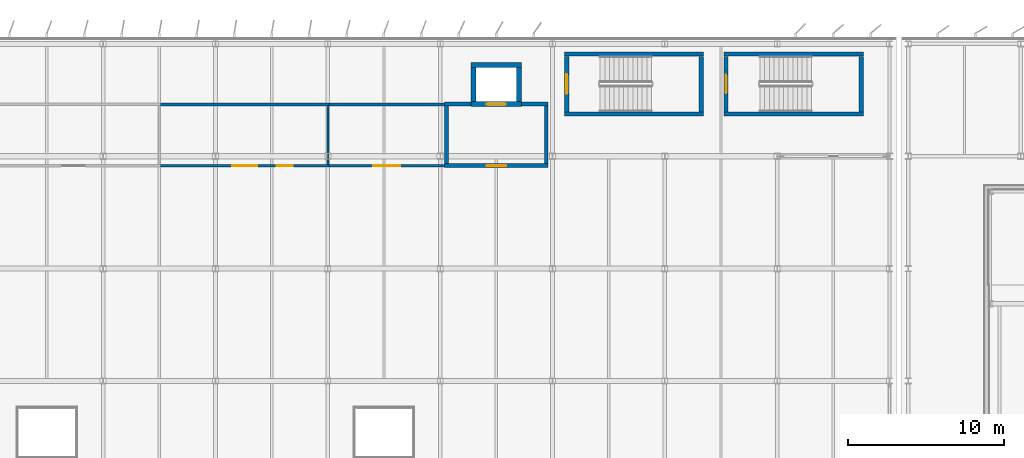
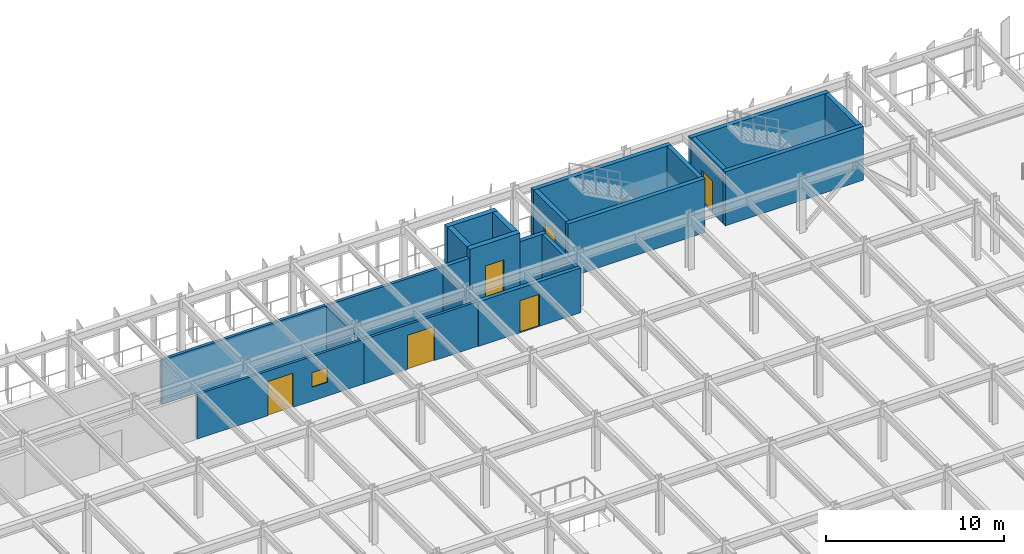
# One storey, part 53 of 80: 22 walls, 6 doors, 1 window, 7 openings.
"""IFC4 building model written with IfcOpenShell, lengths in metres."""

from ifc_helpers import new_model, si_unit, direction, frame, frame_2d, origin, place, context, subcontext, project, spatial, rectangle, extrude, material, layer, layer_set, type_object, element, fill, save


model = new_model("IFC4")

# Units and contexts
model_context = context("Model", 3, precision=1e-05, world=origin(), true_north=direction((0.0, 1.0)))
body_context = subcontext(model_context, "Body", "Model", "MODEL_VIEW")
ifc_project = project(units=[si_unit("LENGTHUNIT", "METRE"), si_unit("AREAUNIT", "SQUARE_METRE"), si_unit("VOLUMEUNIT", "CUBIC_METRE"), si_unit("PLANEANGLEUNIT", "RADIAN"), si_unit("MASSUNIT", "GRAM", prefix="KILO")], contexts=[model_context])

# Site, building, storey
site_placement = place(None, origin())
site = spatial("IfcSite", under=ifc_project, at=site_placement, CompositionType="ELEMENT")
building_placement = place(site_placement, origin())
building = spatial("IfcBuilding", under=site, at=building_placement, Name="Vaelcorin Mobility Hub", CompositionType="ELEMENT")
storey_placement = place(building_placement, frame((0.0, 0.0, 9.300048828125)))
storey = spatial("IfcBuildingStorey", under=building, at=storey_placement, Name="L02", CompositionType="ELEMENT", Elevation=9.300048828125)

# Walls
ifc_material_1 = material(Name="Reinforced concrete f'c 45 MPa", Category="concrete")
ifc_layer_1 = layer(ifc_material_1, 0.27490234375)
ifc_layer_set_1 = layer_set([ifc_layer_1], Name="Reinforced concrete f'c 45 MPa")
wall_type_1 = type_object("IfcWallType", Name="WL-CORE-275", PredefinedType="SOLIDWALL", material=ifc_layer_set_1)
for number, where, z_axis, x_axis, name in (
    (1, (110.47509765625, 115.511962890625, 0.0), (0.0, 0.0, 1.0), (-1.0, 0.0, 0.0), "ST4 Fire Core Wall L02 South"),
    (2, (101.574951171875, 119.347900390625, 0.0), (0.0, 0.0, 1.0), (1.0, 0.0, 0.0), "ST4 Fire Core Wall L02 North"),
):
    element("IfcWall", number, at=place(storey_placement, frame(where, z_axis=z_axis, x_axis=x_axis)), inside=storey, type_object=wall_type_1, Name=name, PredefinedType="SOLIDWALL", context=body_context, shape_type="SweptSolid", body=[
        extrude(rectangle(XDim=8.900146484375, YDim=0.27490234375, at=frame_2d((4.4501953125, 0.0))), origin(), (0.0, 0.0, 1.0), 3.68994140625),
    ])

# Wall, opening, door
wall_1_placement = place(storey_placement, frame((101.7119140625, 115.64990234375, 0.0), z_axis=(0.0, 0.0, 1.0), x_axis=(0.0, 1.0, 0.0)))
wall_1 = element("IfcWall", 3, at=wall_1_placement, inside=storey, type_object=wall_type_1, Name="ST4 Fire Core Wall L02 West", PredefinedType="SOLIDWALL", context=body_context, shape_type="SweptSolid", body=[
    extrude(rectangle(XDim=3.56005859375, YDim=0.27490234375, at=frame_2d((1.780029296875, 0.0))), origin(), (0.0, 0.0, 1.0), 3.68994140625),
])
opening_1_placement = place(wall_1_placement, frame((1.155029296875, 0.0, 0.0)))
opening_1 = element("IfcOpeningElement", 4, at=opening_1_placement, cuts=wall_1, Name="Opening SD02", PredefinedType="OPENING", context=body_context, shape_type="SweptSolid", body=[
    extrude(rectangle(XDim=1.25, YDim=2.199951171875, at=frame_2d((0.625, 1.10009765625))), frame((0.0, 0.1474609375, 0.0), z_axis=(0.0, -1.0, 0.0), x_axis=(1.0, 0.0, 0.0)), (0.0, 0.0, 1.0), 0.294921875),
])
ifc_material_2 = material(Name="Hollow-metal insulated steel fire door", Category="steel")
door_type_1 = type_object("IfcDoorType", Name="DR-STAIR-FF", OperationType="NOTDEFINED", PredefinedType="DOOR", material=ifc_material_2)
door_1_placement = place(opening_1_placement, origin())
door_1 = element("IfcDoor", 5, at=door_1_placement, inside=storey, type_object=door_type_1, Name="ST4 Protected Stair Door L02", OperationType="SINGLE_SWING_LEFT", OverallHeight=2.199951171875, OverallWidth=1.25, PredefinedType="DOOR", context=body_context, shape_type="SweptSolid", body=[
    extrude(rectangle(XDim=1.25, YDim=2.199951171875, at=frame_2d((0.625, 1.10009765625))), frame((0.0, 0.02490234375, 0.0), z_axis=(0.0, -1.0, 0.0), x_axis=(1.0, 0.0, 0.0)), (0.0, 0.0, 1.0), 0.050048828125),
])
fill(opening_1, door_1)

# Walls
wall_2_placement = place(storey_placement, frame((110.337890625, 119.2099609375, 0.0), z_axis=(0.0, 0.0, 1.0), x_axis=(0.0, -1.0, 0.0)))
element("IfcWall", 6, at=wall_2_placement, inside=storey, type_object=wall_type_1, Name="ST4 Fire Core Wall L02 East", PredefinedType="SOLIDWALL", context=body_context, shape_type="SweptSolid", body=[
    extrude(rectangle(XDim=3.56005859375, YDim=0.27490234375, at=frame_2d((1.780029296875, 0.0))), origin(), (0.0, 0.0, 1.0), 3.68994140625),
])
for number, where, z_axis, x_axis, name in (
    (7, (120.72509765625, 115.511962890625, 0.0), (0.0, 0.0, 1.0), (-1.0, 0.0, 0.0), "ST9 Fire Core Wall L02 South"),
    (8, (111.77490234375, 119.347900390625, 0.0), (0.0, 0.0, 1.0), (1.0, 0.0, 0.0), "ST9 Fire Core Wall L02 North"),
):
    element("IfcWall", number, at=place(storey_placement, frame(where, z_axis=z_axis, x_axis=x_axis)), inside=storey, type_object=wall_type_1, Name=name, PredefinedType="SOLIDWALL", context=body_context, shape_type="SweptSolid", body=[
        extrude(rectangle(XDim=8.9501953125, YDim=0.27490234375, at=frame_2d((4.47509765625, 0.0))), origin(), (0.0, 0.0, 1.0), 3.68994140625),
    ])

# Wall, opening, door
wall_3_placement = place(storey_placement, frame((111.912109375, 115.64990234375, 0.0), z_axis=(0.0, 0.0, 1.0), x_axis=(0.0, 1.0, 0.0)))
wall_3 = element("IfcWall", 9, at=wall_3_placement, inside=storey, type_object=wall_type_1, Name="ST9 Fire Core Wall L02 West", PredefinedType="SOLIDWALL", context=body_context, shape_type="SweptSolid", body=[
    extrude(rectangle(XDim=3.56005859375, YDim=0.27490234375, at=frame_2d((1.780029296875, 0.0))), origin(), (0.0, 0.0, 1.0), 3.68994140625),
])
opening_2_placement = place(wall_3_placement, frame((1.179931640625, 0.0, 0.0)))
opening_2 = element("IfcOpeningElement", 10, at=opening_2_placement, cuts=wall_3, Name="Opening SD01", PredefinedType="OPENING", context=body_context, shape_type="SweptSolid", body=[
    extrude(rectangle(XDim=1.199951171875, YDim=2.199951171875, at=frame_2d((0.60009765625, 1.10009765625))), frame((0.0, 0.1474609375, 0.0), z_axis=(0.0, -1.0, 0.0), x_axis=(1.0, 0.0, 0.0)), (0.0, 0.0, 1.0), 0.294921875),
])
door_type_2 = type_object("IfcDoorType", Name="DR-STAIR-90", OperationType="NOTDEFINED", PredefinedType="DOOR", material=ifc_material_2)
door_2_placement = place(opening_2_placement, origin())
door_2 = element("IfcDoor", 11, at=door_2_placement, inside=storey, type_object=door_type_2, Name="ST9 Protected Stair Door L02", OperationType="SINGLE_SWING_LEFT", OverallHeight=2.199951171875, OverallWidth=1.199951171875, PredefinedType="DOOR", context=body_context, shape_type="SweptSolid", body=[
    extrude(rectangle(XDim=1.199951171875, YDim=2.199951171875, at=frame_2d((0.60009765625, 1.10009765625))), frame((0.0, 0.02490234375, 0.0), z_axis=(0.0, -1.0, 0.0), x_axis=(1.0, 0.0, 0.0)), (0.0, 0.0, 1.0), 0.050048828125),
])
fill(opening_2, door_2)

# Walls
wall_4_placement = place(storey_placement, frame((120.587890625, 119.2099609375, 0.0), z_axis=(0.0, 0.0, 1.0), x_axis=(0.0, -1.0, 0.0)))
element("IfcWall", 12, at=wall_4_placement, inside=storey, type_object=wall_type_1, Name="ST9 Fire Core Wall L02 East", PredefinedType="SOLIDWALL", context=body_context, shape_type="SweptSolid", body=[
    extrude(rectangle(XDim=3.56005859375, YDim=0.27490234375, at=frame_2d((1.780029296875, 0.0))), origin(), (0.0, 0.0, 1.0), 3.68994140625),
])
ifc_material_3 = material(Name="Fire-rated acoustic steel-stud gypsum board", Category="steel")
ifc_layer_2 = layer(ifc_material_3, 0.1298828125)
ifc_layer_set_2 = layer_set([ifc_layer_2], Name="Fire-rated acoustic steel-stud gypsum board")
wall_type_2 = type_object("IfcWallType", Name="WL-PART-130", PredefinedType="PARTITIONING", material=ifc_layer_set_2)
wall_5_placement = place(storey_placement, frame((86.39990234375, 116.030029296875, 0.0), z_axis=(0.0, 0.0, 1.0), x_axis=(0.0, -1.0, 0.0)))
element("IfcWall", 13, at=wall_5_placement, inside=storey, type_object=wall_type_2, Name="EV Fleet Valet Dispatch Room Partition East", PredefinedType="PARTITIONING", context=body_context, shape_type="SweptSolid", body=[
    extrude(rectangle(XDim=3.7451171875, YDim=0.1298828125, at=frame_2d((1.87255859375, 0.0))), origin(), (0.0, 0.0, 1.0), 3.057861328125),
])

# Wall, openings, door, window
ifc_layer_3 = layer(ifc_material_3, 0.159912109375)
ifc_layer_set_3 = layer_set([ifc_layer_3], Name="Fire-rated acoustic steel-stud gypsum board")
wall_type_3 = type_object("IfcWallType", Name="WL-PART-160", PredefinedType="PARTITIONING", material=ifc_layer_set_3)
wall_6_placement = place(storey_placement, frame((86.47998046875, 112.199951171875, 0.0), z_axis=(0.0, 0.0, 1.0), x_axis=(-1.0, 0.0, 0.0)))
wall_6 = element("IfcWall", 14, at=wall_6_placement, inside=storey, type_object=wall_type_3, Name="EV Fleet Valet Dispatch Room Partition South", PredefinedType="PARTITIONING", context=body_context, shape_type="SweptSolid", body=[
    extrude(rectangle(XDim=10.798095703125, YDim=0.159912109375, at=frame_2d((5.39892578125, 0.0))), origin(), (0.0, 0.0, 1.0), 3.057861328125),
])
opening_3_placement = place(wall_6_placement, frame((4.589111328125, 0.0, 0.0)))
opening_3 = element("IfcOpeningElement", 15, at=opening_3_placement, cuts=wall_6, Name="Opening ID48", PredefinedType="OPENING", context=body_context, shape_type="SweptSolid", body=[
    extrude(rectangle(XDim=1.6201171875, YDim=2.340087890625, at=frame_2d((0.81005859375, 1.169921875))), frame((0.0, 0.08984375, 0.0), z_axis=(0.0, -1.0, 0.0), x_axis=(1.0, 0.0, 0.0)), (0.0, 0.0, 1.0), 0.179931640625),
])
opening_4_placement = place(wall_6_placement, frame((2.339111328125, 0.0, 0.949951171875)))
opening_4 = element("IfcOpeningElement", 16, at=opening_4_placement, cuts=wall_6, Name="Opening IW-WN01", PredefinedType="OPENING", context=body_context, shape_type="SweptSolid", body=[
    extrude(rectangle(XDim=1.0, YDim=1.0, at=frame_2d((0.5, 0.5))), frame((0.0, 0.08984375, 0.0), z_axis=(0.0, -1.0, 0.0), x_axis=(1.0, 0.0, 0.0)), (0.0, 0.0, 1.0), 0.179931640625),
])
door_type_3 = type_object("IfcDoorType", Name="DR-INT-48", OperationType="NOTDEFINED", PredefinedType="DOOR", material=ifc_material_2)
door_3_placement = place(opening_3_placement, origin())
door_3 = element("IfcDoor", 17, at=door_3_placement, inside=storey, type_object=door_type_3, Name="EV Fleet Valet Dispatch Room Door", OperationType="SINGLE_SWING_RIGHT", OverallHeight=2.340087890625, OverallWidth=1.6201171875, PredefinedType="DOOR", context=body_context, shape_type="SweptSolid", body=[
    extrude(rectangle(XDim=1.6201171875, YDim=2.340087890625, at=frame_2d((0.81005859375, 1.169921875))), frame((0.0, 0.02490234375, 0.0), z_axis=(0.0, -1.0, 0.0), x_axis=(1.0, 0.0, 0.0)), (0.0, 0.0, 1.0), 0.050048828125),
])
fill(opening_3, door_3)
ifc_material_4 = material(Name="Acoustic laminated fire-rated interior glazing", Category="glass")
window_type = type_object("IfcWindowType", Name="WIN-INT-01", PartitioningType="SINGLE_PANEL", PredefinedType="WINDOW", material=ifc_material_4)
window_placement = place(opening_4_placement, origin())
window = element("IfcWindow", 18, at=window_placement, inside=storey, type_object=window_type, Name="EV Fleet Valet Dispatch Room Observation Glazing", OverallHeight=1.0, OverallWidth=1.0, PartitioningType="SINGLE_PANEL", PredefinedType="WINDOW", context=body_context, shape_type="SweptSolid", body=[
    extrude(rectangle(XDim=1.0, YDim=1.0, at=frame_2d((0.5, 0.5))), frame((0.0, 0.030029296875, 0.0), z_axis=(0.0, -1.0, 0.0), x_axis=(1.0, 0.0, 0.0)), (0.0, 0.0, 1.0), 0.06005859375),
])
fill(opening_4, window)

# Wall, opening, door
ifc_layer_4 = layer(ifc_material_3, 0.1650390625)
ifc_layer_set_4 = layer_set([ifc_layer_4], Name="Fire-rated acoustic steel-stud gypsum board")
wall_type_4 = type_object("IfcWallType", Name="WL-PART-165", PredefinedType="PARTITIONING", material=ifc_layer_set_4)
wall_7_placement = place(storey_placement, frame((93.873046875, 112.199951171875, 0.0), z_axis=(0.0, 0.0, 1.0), x_axis=(-1.0, 0.0, 0.0)))
wall_7 = element("IfcWall", 19, at=wall_7_placement, inside=storey, type_object=wall_type_4, Name="Accessible WC L02 Partition South", PredefinedType="PARTITIONING", context=body_context, shape_type="SweptSolid", body=[
    extrude(rectangle(XDim=7.39111328125, YDim=0.1650390625, at=frame_2d((3.695556640625, 0.0))), origin(), (0.0, 0.0, 1.0), 3.057861328125),
])
opening_5_placement = place(wall_7_placement, frame((2.81591796875, 0.0, 0.0)))
opening_5 = element("IfcOpeningElement", 20, at=opening_5_placement, cuts=wall_7, Name="Opening ID49", PredefinedType="OPENING", context=body_context, shape_type="SweptSolid", body=[
    extrude(rectangle(XDim=1.760009765625, YDim=2.340087890625, at=frame_2d((0.8798828125, 1.169921875))), frame((0.0, 0.092529296875, 0.0), z_axis=(0.0, -1.0, 0.0), x_axis=(1.0, 0.0, 0.0)), (0.0, 0.0, 1.0), 0.18505859375),
])
door_type_4 = type_object("IfcDoorType", Name="DR-INT-49", OperationType="NOTDEFINED", PredefinedType="DOOR", material=ifc_material_2)
door_4_placement = place(opening_5_placement, origin())
door_4 = element("IfcDoor", 21, at=door_4_placement, inside=storey, type_object=door_type_4, Name="Accessible WC L02 Door", OperationType="SINGLE_SWING_LEFT", OverallHeight=2.340087890625, OverallWidth=1.760009765625, PredefinedType="DOOR", context=body_context, shape_type="SweptSolid", body=[
    extrude(rectangle(XDim=1.760009765625, YDim=2.340087890625, at=frame_2d((0.8798828125, 1.169921875))), frame((0.0, 0.02490234375, 0.0), z_axis=(0.0, -1.0, 0.0), x_axis=(1.0, 0.0, 0.0)), (0.0, 0.0, 1.0), 0.050048828125),
])
fill(opening_5, door_4)

# Walls
ifc_layer_5 = layer(ifc_material_3, 0.177978515625)
ifc_layer_set_5 = layer_set([ifc_layer_5], Name="Fire-rated acoustic steel-stud gypsum board")
wall_type_5 = type_object("IfcWallType", Name="WL-PART-178", PredefinedType="PARTITIONING", material=ifc_layer_set_5)
wall_8_placement = place(storey_placement, frame((75.681884765625, 116.125, 0.0), z_axis=(0.0, 0.0, 1.0), x_axis=(1.0, 0.0, 0.0)))
element("IfcWall", 22, at=wall_8_placement, inside=storey, type_object=wall_type_5, Name="EV Fleet Valet Dispatch Room Partition North", PredefinedType="PARTITIONING", context=body_context, shape_type="SweptSolid", body=[
    extrude(rectangle(XDim=10.798095703125, YDim=0.177978515625, at=frame_2d((5.39892578125, 0.0))), origin(), (0.0, 0.0, 1.0), 3.057861328125),
])
ifc_layer_6 = layer(ifc_material_3, 0.18505859375)
ifc_layer_set_6 = layer_set([ifc_layer_6], Name="Fire-rated acoustic steel-stud gypsum board")
wall_type_6 = type_object("IfcWallType", Name="WL-PART-185", PredefinedType="PARTITIONING", material=ifc_layer_set_6)
wall_9_placement = place(storey_placement, frame((86.48193359375, 116.125, 0.0), z_axis=(0.0, 0.0, 1.0), x_axis=(1.0, 0.0, 0.0)))
element("IfcWall", 23, at=wall_9_placement, inside=storey, type_object=wall_type_6, Name="Accessible WC L02 Partition North", PredefinedType="PARTITIONING", context=body_context, shape_type="SweptSolid", body=[
    extrude(rectangle(XDim=7.39111328125, YDim=0.18505859375, at=frame_2d((3.695556640625, 0.0))), origin(), (0.0, 0.0, 1.0), 3.057861328125),
])

# Wall, opening, door
ifc_material_5 = material(Name="Reinforced acoustic concrete masonry C30/37", Category="masonry")
ifc_layer_7 = layer(ifc_material_5, 0.25)
ifc_layer_set_7 = layer_set([ifc_layer_7], Name="Reinforced acoustic concrete masonry C30/37")
wall_type_7 = type_object("IfcWallType", Name="WL-PART-250", PredefinedType="PARTITIONING", material=ifc_layer_set_7)
wall_10_placement = place(storey_placement, frame((100.52490234375, 112.199951171875, 0.0), z_axis=(0.0, 0.0, 1.0), x_axis=(-1.0, 0.0, 0.0)))
wall_10 = element("IfcWall", 24, at=wall_10_placement, inside=storey, type_object=wall_type_7, Name="Firefighting Lobby East L02 Partition South", PredefinedType="PARTITIONING", context=body_context, shape_type="SweptSolid", body=[
    extrude(rectangle(XDim=6.64990234375, YDim=0.25, at=frame_2d((3.324951171875, 0.0))), origin(), (0.0, 0.0, 1.0), 3.057861328125),
])
opening_6_placement = place(wall_10_placement, frame((2.699951171875, 0.0, 0.0)))
opening_6 = element("IfcOpeningElement", 25, at=opening_6_placement, cuts=wall_10, Name="Opening SD02", PredefinedType="OPENING", context=body_context, shape_type="SweptSolid", body=[
    extrude(rectangle(XDim=1.25, YDim=2.199951171875, at=frame_2d((0.625, 1.10009765625))), frame((0.0, 0.135009765625, 0.0), z_axis=(0.0, -1.0, 0.0), x_axis=(1.0, 0.0, 0.0)), (0.0, 0.0, 1.0), 0.27001953125),
])
door_5_placement = place(opening_6_placement, origin())
door_5 = element("IfcDoor", 26, at=door_5_placement, inside=storey, type_object=door_type_1, Name="Firefighting Lobby East L02 Door", OperationType="SINGLE_SWING_LEFT", OverallHeight=2.199951171875, OverallWidth=1.25, PredefinedType="DOOR", context=body_context, shape_type="SweptSolid", body=[
    extrude(rectangle(XDim=1.25, YDim=2.199951171875, at=frame_2d((0.625, 1.10009765625))), frame((0.0, 0.02490234375, 0.0), z_axis=(0.0, -1.0, 0.0), x_axis=(1.0, 0.0, 0.0)), (0.0, 0.0, 1.0), 0.050048828125),
])
fill(opening_6, door_5)

# Walls
for number, where, z_axis, x_axis, name in (
    (27, (93.875, 116.137939453125, 0.0), (0.0, 0.0, 1.0), (1.0, 0.0, 0.0), "Firefighting Lobby East L02 Return Wall NW"),
    (28, (98.826904296875, 116.137939453125, 0.0), (0.0, 0.0, 1.0), (1.0, 0.0, 0.0), "Firefighting Lobby East L02 Return Wall NE"),
):
    element("IfcWall", number, at=place(storey_placement, frame(where, z_axis=z_axis, x_axis=x_axis)), inside=storey, type_object=wall_type_7, Name=name, PredefinedType="PARTITIONING", context=body_context, shape_type="SweptSolid", body=[
        extrude(rectangle(XDim=1.697998046875, YDim=0.25, at=frame_2d((0.84912109375, 0.0))), origin(), (0.0, 0.0, 1.0), 3.057861328125),
    ])
for number, where, z_axis, x_axis, name in (
    (29, (94.0, 112.326904296875, 0.0), (0.0, 0.0, 1.0), (0.0, 1.0, 0.0), "Firefighting Lobby East L02 Partition West"),
    (30, (100.39990234375, 116.010986328125, 0.0), (0.0, 0.0, 1.0), (0.0, -1.0, 0.0), "Firefighting Lobby East L02 Partition East"),
):
    element("IfcWall", number, at=place(storey_placement, frame(where, z_axis=z_axis, x_axis=x_axis)), inside=storey, type_object=wall_type_7, Name=name, PredefinedType="PARTITIONING", context=body_context, shape_type="SweptSolid", body=[
        extrude(rectangle(XDim=3.68408203125, YDim=0.25, at=frame_2d((1.842041015625, 0.0))), origin(), (0.0, 0.0, 1.0), 3.057861328125),
    ])

# Wall, opening, door
ifc_layer_8 = layer(ifc_material_1, 0.324951171875)
ifc_layer_set_8 = layer_set([ifc_layer_8], Name="Reinforced concrete f'c 45 MPa")
wall_type_8 = type_object("IfcWallType", Name="WL-SHEAR-325", PredefinedType="SHEAR", material=ifc_layer_set_8)
wall_11_placement = place(storey_placement, frame((98.824951171875, 116.137939453125, 0.0), z_axis=(0.0, 0.0, 1.0), x_axis=(-1.0, 0.0, 0.0)))
wall_11 = element("IfcWall", 31, at=wall_11_placement, inside=storey, type_object=wall_type_8, Name="LF2 Lift Shaft Shear Wall L02 South", PredefinedType="SHEAR", context=body_context, shape_type="SweptSolid", body=[
    extrude(rectangle(XDim=3.25, YDim=0.324951171875, at=frame_2d((1.625, 0.0))), origin(), (0.0, 0.0, 1.0), 3.68994140625),
])
opening_7_placement = place(wall_11_placement, frame((1.02490234375, 0.0, 0.0)))
opening_7 = element("IfcOpeningElement", 32, at=opening_7_placement, cuts=wall_11, Name="Opening LD1", PredefinedType="OPENING", context=body_context, shape_type="SweptSolid", body=[
    extrude(rectangle(XDim=1.199951171875, YDim=2.199951171875, at=frame_2d((0.60009765625, 1.10009765625))), frame((0.0, 0.17236328125, 0.0), z_axis=(0.0, -1.0, 0.0), x_axis=(1.0, 0.0, 0.0)), (0.0, 0.0, 1.0), 0.344970703125),
])
ifc_material_6 = material(Name="Brushed stainless steel 316L", Category="steel")
door_type_5 = type_object("IfcDoorType", Name="DR-LIFT-LD1", OperationType="NOTDEFINED", PredefinedType="DOOR", material=ifc_material_6)
door_6_placement = place(opening_7_placement, origin())
door_6 = element("IfcDoor", 33, at=door_6_placement, inside=storey, type_object=door_type_5, Name="LF2 Lift Landing Sliding Door L02", OperationType="DOUBLE_DOOR_SLIDING", OverallHeight=2.199951171875, OverallWidth=1.199951171875, PredefinedType="DOOR", context=body_context, shape_type="SweptSolid", body=[
    extrude(rectangle(XDim=1.199951171875, YDim=2.199951171875, at=frame_2d((0.60009765625, 1.10009765625))), frame((0.0, 0.02490234375, 0.0), z_axis=(0.0, -1.0, 0.0), x_axis=(1.0, 0.0, 0.0)), (0.0, 0.0, 1.0), 0.050048828125),
])
fill(opening_7, door_6)

# Walls
wall_12_placement = place(storey_placement, frame((95.574951171875, 118.662109375, 0.0), z_axis=(0.0, 0.0, 1.0), x_axis=(1.0, 0.0, 0.0)))
element("IfcWall", 34, at=wall_12_placement, inside=storey, type_object=wall_type_8, Name="LF2 Lift Shaft Shear Wall L02 North", PredefinedType="SHEAR", context=body_context, shape_type="SweptSolid", body=[
    extrude(rectangle(XDim=3.25, YDim=0.324951171875, at=frame_2d((1.625, 0.0))), origin(), (0.0, 0.0, 1.0), 3.68994140625),
])
for number, where, z_axis, x_axis, name in (
    (35, (95.738037109375, 116.300048828125, 0.0), (0.0, 0.0, 1.0), (0.0, 1.0, 0.0), "LF2 Lift Shaft Shear Wall L02 West"),
    (36, (98.662109375, 118.5, 0.0), (0.0, 0.0, 1.0), (0.0, -1.0, 0.0), "LF2 Lift Shaft Shear Wall L02 East"),
):
    element("IfcWall", number, at=place(storey_placement, frame(where, z_axis=z_axis, x_axis=x_axis)), inside=storey, type_object=wall_type_8, Name=name, PredefinedType="SHEAR", context=body_context, shape_type="SweptSolid", body=[
        extrude(rectangle(XDim=2.199951171875, YDim=0.324951171875, at=frame_2d((1.10009765625, 0.0))), origin(), (0.0, 0.0, 1.0), 3.68994140625),
    ])

save(model, "model.ifc")
